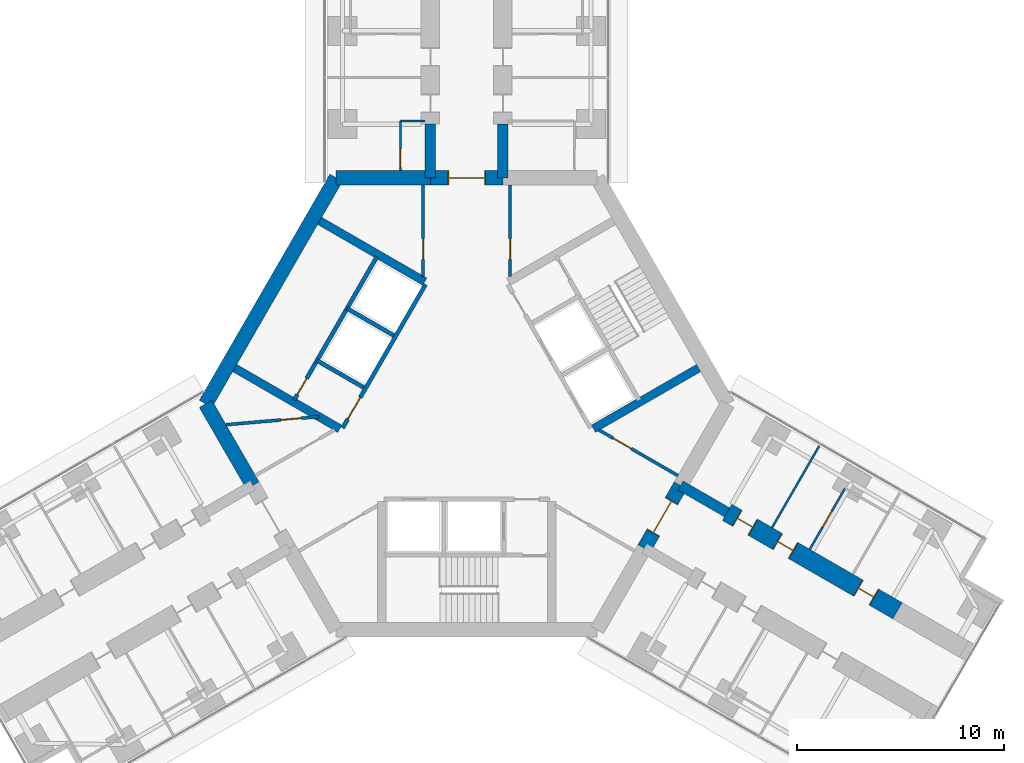
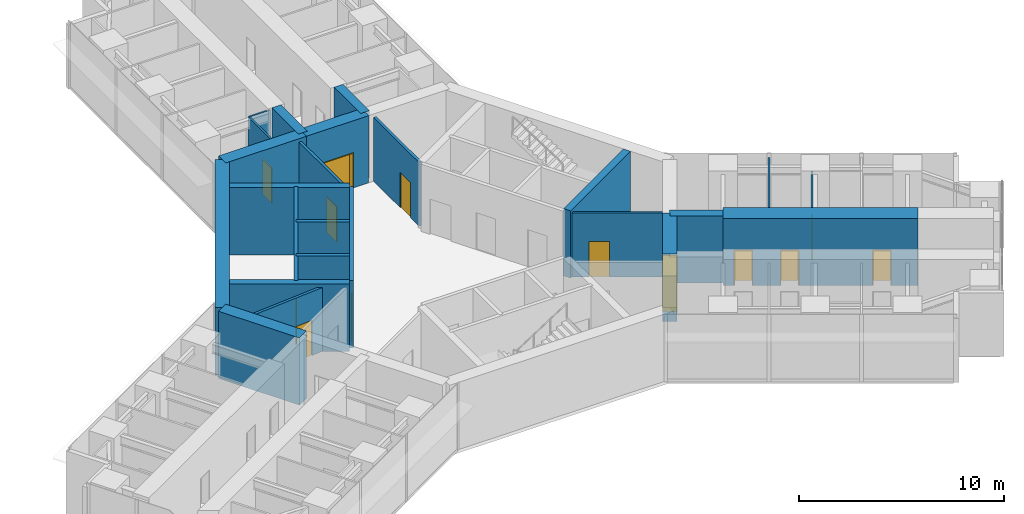
# One storey, part 21 of 25: 24 walls, 13 doors, 13 openings.
"""IFC4 building model written with IfcOpenShell, lengths in metres."""

from ifc_helpers import new_model, si_unit, direction, frame, frame_2d, origin, place, context, subcontext, project, spatial, rectangle, extrude, material, layer, layer_set, type_object, element, fill, save


model = new_model("IFC4")

# Units and contexts
model_context = context("Model", 3, precision=1e-05, world=origin(), true_north=direction((0.0, 1.0)))
body_context = subcontext(model_context, "Body", "Model", "MODEL_VIEW")
ifc_project = project(units=[si_unit("LENGTHUNIT", "METRE"), si_unit("AREAUNIT", "SQUARE_METRE"), si_unit("VOLUMEUNIT", "CUBIC_METRE"), si_unit("PLANEANGLEUNIT", "RADIAN"), si_unit("MASSUNIT", "GRAM", prefix="KILO")], contexts=[model_context])

# Site, building, storey
site_placement = place(None, origin())
site = spatial("IfcSite", under=ifc_project, at=site_placement, CompositionType="ELEMENT")
building_placement = place(site_placement, origin())
building = spatial("IfcBuilding", under=site, at=building_placement, Name="Upepo Twin Towers", CompositionType="ELEMENT")
storey_placement = place(building_placement, frame((0.0, 0.0, 84.5)))
storey = spatial("IfcBuildingStorey", under=building, at=storey_placement, Name="L20", CompositionType="ELEMENT", Elevation=84.5)

# Walls
ifc_material_1 = material(Name="Concrete C60/75", Category="concrete")
ifc_layer_1 = layer(ifc_material_1, 0.5)
ifc_layer_set_1 = layer_set([ifc_layer_1], Name="Concrete C60/75")
wall_type_1 = type_object("IfcWallType", Name="Buttress wall 500 RC", PredefinedType="SHEAR", material=ifc_layer_set_1)
for number, where, z_axis, x_axis, name in (
    (1, (56.75, -7.091552734375, 0.0), (0.0, 0.0, 1.0), (0.0, 1.0, 0.0), "T2 wing A buttress wall L"),
    (2, (60.25, -7.091552734375, 0.0), (0.0, 0.0, 1.0), (0.0, 1.0, 0.0), "T2 wing A buttress wall R"),
):
    element("IfcWall", number, at=place(storey_placement, frame(where, z_axis=z_axis, x_axis=x_axis)), inside=storey, type_object=wall_type_1, Name=name, PredefinedType="SHEAR", context=body_context, shape_type="SweptSolid", body=[
        extrude(rectangle(XDim=2.591552734375, YDim=0.5, at=frame_2d((1.2958984375, 0.0))), origin(), (0.0, 0.0, 1.0), 4.0),
    ])
wall_1_placement = place(storey_placement, frame((68.82177734375, -21.938720703125, 0.0), z_axis=(0.0, 0.0, 1.0), x_axis=(0.866072649678, -0.499918158782, 0.0)))
element("IfcWall", 3, at=wall_1_placement, inside=storey, type_object=wall_type_1, Name="T2 wing C buttress wall L", PredefinedType="SHEAR", context=body_context, shape_type="SweptSolid", body=[
    extrude(rectangle(XDim=2.591796875, YDim=0.5, at=frame_2d((1.2958984375, 0.0))), origin(), (0.0, 0.0, 1.0), 4.0),
])

# Wall, openings, doors
ifc_material_2 = material(Name="Concrete C60/75", Category="concrete")
ifc_layer_2 = layer(ifc_material_2, 0.89990234375)
ifc_layer_set_2 = layer_set([ifc_layer_2], Name="Concrete C60/75")
wall_type_2 = type_object("IfcWallType", Name="Buttress wall 900 RC", PredefinedType="SHEAR", material=ifc_layer_set_2)
wall_2_placement = place(storey_placement, frame((71.06640625, -23.234375, 0.0), z_axis=(0.0, 0.0, 1.0), x_axis=(0.86602681393, -0.499997557548, 0.0)))
wall_2 = element("IfcWall", 4, at=wall_2_placement, inside=storey, type_object=wall_type_2, Name="T2 wing C buttress wall L part 2", PredefinedType="SHEAR", context=body_context, shape_type="SweptSolid", body=[
    extrude(rectangle(XDim=9.5, YDim=0.89990234375, at=frame_2d((4.75, 0.0))), origin(), (0.0, 0.0, 1.0), 4.0),
])
opening_1_placement = place(wall_2_placement, frame((0.550048828125, 0.0, 0.0)))
opening_1 = element("IfcOpeningElement", 5, at=opening_1_placement, cuts=wall_2, Name="Opening D14", PredefinedType="OPENING", context=body_context, shape_type="SweptSolid", body=[
    extrude(rectangle(XDim=0.89990234375, YDim=2.10009765625, at=frame_2d((0.449951171875, 1.050048828125))), frame((0.0, 0.4599609375, 0.0), z_axis=(0.0, -1.0, 0.0), x_axis=(1.0, 0.0, 0.0)), (0.0, 0.0, 1.0), 0.919921875),
])
opening_2_placement = place(wall_2_placement, frame((2.800048828125, 0.0, 0.0)))
opening_2 = element("IfcOpeningElement", 6, at=opening_2_placement, cuts=wall_2, Name="Opening D14", PredefinedType="OPENING", context=body_context, shape_type="SweptSolid", body=[
    extrude(rectangle(XDim=0.89990234375, YDim=2.10009765625, at=frame_2d((0.449951171875, 1.050048828125))), frame((0.0, 0.4599609375, 0.0), z_axis=(0.0, -1.0, 0.0), x_axis=(1.0, 0.0, 0.0)), (0.0, 0.0, 1.0), 0.919921875),
])
opening_3_placement = place(wall_2_placement, frame((7.300048828125, 0.0, 0.0)))
opening_3 = element("IfcOpeningElement", 7, at=opening_3_placement, cuts=wall_2, Name="Opening D14", PredefinedType="OPENING", context=body_context, shape_type="SweptSolid", body=[
    extrude(rectangle(XDim=0.89990234375, YDim=2.10009765625, at=frame_2d((0.449951171875, 1.050048828125))), frame((0.0, 0.4599609375, 0.0), z_axis=(0.0, -1.0, 0.0), x_axis=(1.0, 0.0, 0.0)), (0.0, 0.0, 1.0), 0.919921875),
])
ifc_material_3 = material(Name="Timber doorset", Category="wood")
door_type_1 = type_object("IfcDoorType", Name="Office door 900 FD30", OperationType="SINGLE_SWING_LEFT", PredefinedType="DOOR", material=ifc_material_3)
door_1_placement = place(opening_1_placement, origin())
door_1 = element("IfcDoor", 8, at=door_1_placement, inside=storey, type_object=door_type_1, Name="T2 L20 staff office door", OperationType="SINGLE_SWING_LEFT", OverallHeight=2.10009765625, OverallWidth=0.89990234375, PredefinedType="DOOR", context=body_context, shape_type="SweptSolid", body=[
    extrude(rectangle(XDim=0.81990234375, YDim=2.06009765625, at=frame_2d((0.449951171875, 1.030029296875))), frame((0.0, 0.02490234375, 0.0), z_axis=(0.0, -1.0, 0.0), x_axis=(1.0, 0.0, 0.0)), (0.0, 0.0, 1.0), 0.050048828125),
    extrude(rectangle(XDim=0.04, YDim=2.10009765625, at=frame_2d((0.02001953125, 1.050048828125))), frame((0.0, 0.44970703125, 0.0), z_axis=(0.0, -1.0, 0.0), x_axis=(1.0, 0.0, 0.0)), (0.0, 0.0, 1.0), 0.8994140625),
    extrude(rectangle(XDim=0.04, YDim=2.10009765625, at=frame_2d((0.8798828125, 1.050048828125))), frame((0.0, 0.44970703125, 0.0), z_axis=(0.0, -1.0, 0.0), x_axis=(1.0, 0.0, 0.0)), (0.0, 0.0, 1.0), 0.8994140625),
    extrude(rectangle(XDim=0.81990234375, YDim=0.04, at=frame_2d((0.449951171875, 2.080078125))), frame((0.0, 0.44970703125, 0.0), z_axis=(0.0, -1.0, 0.0), x_axis=(1.0, 0.0, 0.0)), (0.0, 0.0, 1.0), 0.8994140625),
])
fill(opening_1, door_1)
door_2_placement = place(opening_2_placement, origin())
door_2 = element("IfcDoor", 9, at=door_2_placement, inside=storey, type_object=door_type_1, Name="T2 L20 postgraduate office door", OperationType="SINGLE_SWING_LEFT", OverallHeight=2.10009765625, OverallWidth=0.89990234375, PredefinedType="DOOR", context=body_context, shape_type="SweptSolid", body=[
    extrude(rectangle(XDim=0.81990234375, YDim=2.06009765625, at=frame_2d((0.449951171875, 1.030029296875))), frame((0.0, 0.02490234375, 0.0), z_axis=(0.0, -1.0, 0.0), x_axis=(1.0, 0.0, 0.0)), (0.0, 0.0, 1.0), 0.050048828125),
    extrude(rectangle(XDim=0.04, YDim=2.10009765625, at=frame_2d((0.02001953125, 1.050048828125))), frame((0.0, 0.44970703125, 0.0), z_axis=(0.0, -1.0, 0.0), x_axis=(1.0, 0.0, 0.0)), (0.0, 0.0, 1.0), 0.8994140625),
    extrude(rectangle(XDim=0.04, YDim=2.10009765625, at=frame_2d((0.8798828125, 1.050048828125))), frame((0.0, 0.44970703125, 0.0), z_axis=(0.0, -1.0, 0.0), x_axis=(1.0, 0.0, 0.0)), (0.0, 0.0, 1.0), 0.8994140625),
    extrude(rectangle(XDim=0.81990234375, YDim=0.04, at=frame_2d((0.449951171875, 2.080078125))), frame((0.0, 0.44970703125, 0.0), z_axis=(0.0, -1.0, 0.0), x_axis=(1.0, 0.0, 0.0)), (0.0, 0.0, 1.0), 0.8994140625),
])
fill(opening_2, door_2)
door_3_placement = place(opening_3_placement, origin())
door_3 = element("IfcDoor", 10, at=door_3_placement, inside=storey, type_object=door_type_1, Name="T2 L20 staff office door", OperationType="SINGLE_SWING_RIGHT", OverallHeight=2.10009765625, OverallWidth=0.89990234375, PredefinedType="DOOR", context=body_context, shape_type="SweptSolid", body=[
    extrude(rectangle(XDim=0.81990234375, YDim=2.06009765625, at=frame_2d((0.449951171875, 1.030029296875))), frame((0.0, 0.02490234375, 0.0), z_axis=(0.0, -1.0, 0.0), x_axis=(1.0, 0.0, 0.0)), (0.0, 0.0, 1.0), 0.050048828125),
    extrude(rectangle(XDim=0.04, YDim=2.10009765625, at=frame_2d((0.02001953125, 1.050048828125))), frame((0.0, 0.44970703125, 0.0), z_axis=(0.0, -1.0, 0.0), x_axis=(1.0, 0.0, 0.0)), (0.0, 0.0, 1.0), 0.8994140625),
    extrude(rectangle(XDim=0.04, YDim=2.10009765625, at=frame_2d((0.8798828125, 1.050048828125))), frame((0.0, 0.44970703125, 0.0), z_axis=(0.0, -1.0, 0.0), x_axis=(1.0, 0.0, 0.0)), (0.0, 0.0, 1.0), 0.8994140625),
    extrude(rectangle(XDim=0.81990234375, YDim=0.04, at=frame_2d((0.449951171875, 2.080078125))), frame((0.0, 0.44970703125, 0.0), z_axis=(0.0, -1.0, 0.0), x_axis=(1.0, 0.0, 0.0)), (0.0, 0.0, 1.0), 0.8994140625),
])
fill(opening_3, door_3)

# Wall, opening, door
ifc_material_4 = material(Name="Concrete C60/75", Category="concrete")
ifc_layer_3 = layer(ifc_material_4, 0.699951171875)
ifc_layer_set_3 = layer_set([ifc_layer_3], Name="Concrete C60/75")
wall_type_3 = type_object("IfcWallType", Name="Core wall 700 RC", PredefinedType="SHEAR", material=ifc_layer_set_3)
wall_3_placement = place(storey_placement, frame((60.25, -7.091552734375, 0.0), z_axis=(0.0, 0.0, 1.0), x_axis=(-1.0, 0.0, 0.0)))
wall_3 = element("IfcWall", 11, at=wall_3_placement, inside=storey, type_object=wall_type_3, Name="T2 core wall 000", PredefinedType="SHEAR", context=body_context, shape_type="SweptSolid", body=[
    extrude(rectangle(XDim=3.5, YDim=0.699951171875, at=frame_2d((1.75, 0.0))), origin(), (0.0, 0.0, 1.0), 4.0),
])
opening_4_placement = place(wall_3_placement, frame((0.85009765625, 0.0, 0.0)))
opening_4 = element("IfcOpeningElement", 12, at=opening_4_placement, cuts=wall_3, Name="Opening D2", PredefinedType="OPENING", context=body_context, shape_type="SweptSolid", body=[
    extrude(rectangle(XDim=1.800048828125, YDim=2.10009765625, at=frame_2d((0.89990234375, 1.050048828125))), frame((0.0, 0.35986328125, 0.0), z_axis=(0.0, -1.0, 0.0), x_axis=(1.0, 0.0, 0.0)), (0.0, 0.0, 1.0), 0.719970703125),
])
ifc_material_5 = material(Name="Timber doorset", Category="wood")
door_type_2 = type_object("IfcDoorType", Name="Corridor double door 1800 FD60", OperationType="DOUBLE_DOOR_DOUBLE_SWING", PredefinedType="DOOR", material=ifc_material_5)
door_4_placement = place(opening_4_placement, origin())
door_4 = element("IfcDoor", 13, at=door_4_placement, inside=storey, type_object=door_type_2, Name="T2 L20 wing A corridor door", OperationType="DOUBLE_DOOR_DOUBLE_SWING", OverallHeight=2.10009765625, OverallWidth=1.800048828125, PredefinedType="DOOR", context=body_context, shape_type="SweptSolid", body=[
    extrude(rectangle(XDim=1.720048828125, YDim=2.06009765625, at=frame_2d((0.89990234375, 1.030029296875))), frame((0.0, 0.02490234375, 0.0), z_axis=(0.0, -1.0, 0.0), x_axis=(1.0, 0.0, 0.0)), (0.0, 0.0, 1.0), 0.050048828125),
    extrude(rectangle(XDim=0.04, YDim=2.10009765625, at=frame_2d((0.02001953125, 1.050048828125))), frame((0.0, 0.349609375, 0.0), z_axis=(0.0, -1.0, 0.0), x_axis=(1.0, 0.0, 0.0)), (0.0, 0.0, 1.0), 0.699462890625),
    extrude(rectangle(XDim=0.04, YDim=2.10009765625, at=frame_2d((1.780029296875, 1.050048828125))), frame((0.0, 0.349609375, 0.0), z_axis=(0.0, -1.0, 0.0), x_axis=(1.0, 0.0, 0.0)), (0.0, 0.0, 1.0), 0.699462890625),
    extrude(rectangle(XDim=1.720048828125, YDim=0.04, at=frame_2d((0.89990234375, 2.080078125))), frame((0.0, 0.349609375, 0.0), z_axis=(0.0, -1.0, 0.0), x_axis=(1.0, 0.0, 0.0)), (0.0, 0.0, 1.0), 0.699462890625),
])
fill(opening_4, door_4)

# Walls
wall_4_placement = place(storey_placement, frame((56.75, -7.091552734375, 0.0), z_axis=(0.0, 0.0, 1.0), x_axis=(-1.0, 0.0, 0.0)))
element("IfcWall", 14, at=wall_4_placement, inside=storey, type_object=wall_type_3, Name="T2 core wall 000 L", PredefinedType="SHEAR", context=body_context, shape_type="SweptSolid", body=[
    extrude(rectangle(XDim=4.5478515625, YDim=0.699951171875, at=frame_2d((2.27392578125, 0.0))), origin(), (0.0, 0.0, 1.0), 4.0),
])
wall_5_placement = place(storey_placement, frame((52.2021484375, -7.091552734375, 0.0), z_axis=(0.0, 0.0, 1.0), x_axis=(-0.500005998175, -0.866021940709, 0.0)))
element("IfcWall", 15, at=wall_5_placement, inside=storey, type_object=wall_type_3, Name="T2 core wall 060", PredefinedType="SHEAR", context=body_context, shape_type="SweptSolid", body=[
    extrude(rectangle(XDim=12.595947265625, YDim=0.699951171875, at=frame_2d((6.2978515625, 0.0))), origin(), (0.0, 0.0, 1.0), 4.0),
])
wall_6_placement = place(storey_placement, frame((45.904052734375, -18.0, 0.0), z_axis=(0.0, 0.0, 1.0), x_axis=(0.500024481964, -0.866011268655, 0.0)))
element("IfcWall", 16, at=wall_6_placement, inside=storey, type_object=wall_type_3, Name="T2 core wall 120 R", PredefinedType="SHEAR", context=body_context, shape_type="SweptSolid", body=[
    extrude(rectangle(XDim=4.548095703125, YDim=0.699951171875, at=frame_2d((2.27392578125, 0.0))), origin(), (0.0, 0.0, 1.0), 4.0),
])

# Wall, opening, door
wall_7_placement = place(storey_placement, frame((67.07177734375, -24.9697265625, 0.0), z_axis=(0.0, 0.0, 1.0), x_axis=(0.500010275428, 0.866019471182, 0.0)))
wall_7 = element("IfcWall", 17, at=wall_7_placement, inside=storey, type_object=wall_type_3, Name="T2 core wall 240", PredefinedType="SHEAR", context=body_context, shape_type="SweptSolid", body=[
    extrude(rectangle(XDim=3.5, YDim=0.699951171875, at=frame_2d((1.75, 0.0))), origin(), (0.0, 0.0, 1.0), 4.0),
])
opening_5_placement = place(wall_7_placement, frame((0.85009765625, 0.0, 0.0)))
opening_5 = element("IfcOpeningElement", 18, at=opening_5_placement, cuts=wall_7, Name="Opening D2", PredefinedType="OPENING", context=body_context, shape_type="SweptSolid", body=[
    extrude(rectangle(XDim=1.800048828125, YDim=2.10009765625, at=frame_2d((0.89990234375, 1.050048828125))), frame((0.0, 0.35986328125, 0.0), z_axis=(0.0, -1.0, 0.0), x_axis=(1.0, 0.0, 0.0)), (0.0, 0.0, 1.0), 0.719970703125),
])
door_5_placement = place(opening_5_placement, origin())
door_5 = element("IfcDoor", 19, at=door_5_placement, inside=storey, type_object=door_type_2, Name="T2 L20 wing C corridor door", OperationType="DOUBLE_DOOR_DOUBLE_SWING", OverallHeight=2.10009765625, OverallWidth=1.800048828125, PredefinedType="DOOR", context=body_context, shape_type="SweptSolid", body=[
    extrude(rectangle(XDim=1.720048828125, YDim=2.06009765625, at=frame_2d((0.89990234375, 1.030029296875))), frame((0.0, 0.02490234375, 0.0), z_axis=(0.0, -1.0, 0.0), x_axis=(1.0, 0.0, 0.0)), (0.0, 0.0, 1.0), 0.050048828125),
    extrude(rectangle(XDim=0.04, YDim=2.10009765625, at=frame_2d((0.02001953125, 1.050048828125))), frame((0.0, 0.349609375, 0.0), z_axis=(0.0, -1.0, 0.0), x_axis=(1.0, 0.0, 0.0)), (0.0, 0.0, 1.0), 0.699462890625),
    extrude(rectangle(XDim=0.04, YDim=2.10009765625, at=frame_2d((1.780029296875, 1.050048828125))), frame((0.0, 0.349609375, 0.0), z_axis=(0.0, -1.0, 0.0), x_axis=(1.0, 0.0, 0.0)), (0.0, 0.0, 1.0), 0.699462890625),
    extrude(rectangle(XDim=1.720048828125, YDim=0.04, at=frame_2d((0.89990234375, 2.080078125))), frame((0.0, 0.349609375, 0.0), z_axis=(0.0, -1.0, 0.0), x_axis=(1.0, 0.0, 0.0)), (0.0, 0.0, 1.0), 0.699462890625),
])
fill(opening_5, door_5)

ifc_material_6 = material(Name="Gypsum board on steel studs", Category="steel")
ifc_layer_4 = layer(ifc_material_6, 0.10009765625)
ifc_layer_set_4 = layer_set([ifc_layer_4], Name="Office partition 100 stud")
wall_type_4 = type_object("IfcWallType", Name="Office partition 100 stud", PredefinedType="PARTITIONING", material=ifc_layer_set_4)
wall_8_placement = place(storey_placement, frame((55.300048828125, -6.741943359375, 0.0), z_axis=(0.0, 0.0, 1.0), x_axis=(0.0, 1.0, 0.0)))
wall_8 = element("IfcWall", 20, at=wall_8_placement, inside=storey, type_object=wall_type_4, Name="T2 WC bay partition AL at 11.26", PredefinedType="PARTITIONING", context=body_context, shape_type="SweptSolid", body=[
    extrude(rectangle(XDim=2.39990234375, YDim=0.10009765625, at=frame_2d((1.199951171875, 0.0))), origin(), (0.0, 0.0, 1.0), 3.800048828125),
])
opening_6_placement = place(wall_8_placement, frame((0.14990234375, 0.0, 0.0)))
opening_6 = element("IfcOpeningElement", 21, at=opening_6_placement, cuts=wall_8, Name="Opening D14", PredefinedType="OPENING", context=body_context, shape_type="SweptSolid", body=[
    extrude(rectangle(XDim=0.89990234375, YDim=2.10009765625, at=frame_2d((0.449951171875, 1.050048828125))), frame((0.0, 0.06005859375, 0.0), z_axis=(0.0, -1.0, 0.0), x_axis=(1.0, 0.0, 0.0)), (0.0, 0.0, 1.0), 0.1201171875),
])
door_6_placement = place(opening_6_placement, origin())
door_6 = element("IfcDoor", 22, at=door_6_placement, inside=storey, type_object=door_type_1, Name="T2 L20 WC bay inner room door", OperationType="SINGLE_SWING_LEFT", OverallHeight=2.10009765625, OverallWidth=0.89990234375, PredefinedType="DOOR", context=body_context, shape_type="SweptSolid", body=[
    extrude(rectangle(XDim=0.89990234375, YDim=2.10009765625, at=frame_2d((0.449951171875, 1.050048828125))), frame((0.0, 0.02490234375, 0.0), z_axis=(0.0, -1.0, 0.0), x_axis=(1.0, 0.0, 0.0)), (0.0, 0.0, 1.0), 0.050048828125),
])
fill(opening_6, door_6)

# Walls
wall_9_placement = place(storey_placement, frame((56.5, -4.342041015625, 0.0), z_axis=(0.0, 0.0, 1.0), x_axis=(-1.0, 0.0, 0.0)))
element("IfcWall", 23, at=wall_9_placement, inside=storey, type_object=wall_type_4, Name="T2 WC bay partition AL end at 13.66", PredefinedType="PARTITIONING", context=body_context, shape_type="SweptSolid", body=[
    extrude(rectangle(XDim=1.199951171875, YDim=0.10009765625, at=frame_2d((0.60009765625, 0.0))), origin(), (0.0, 0.0, 1.0), 3.800048828125),
])
wall_10_placement = place(storey_placement, frame((73.239990234375, -23.9697265625, 0.0), z_axis=(0.0, 0.0, 1.0), x_axis=(0.499982560684, 0.866035472144, 0.0)))
element("IfcWall", 24, at=wall_10_placement, inside=storey, type_object=wall_type_4, Name="T2 partition CL at 15.75", PredefinedType="PARTITIONING", context=body_context, shape_type="SweptSolid", body=[
    extrude(rectangle(XDim=4.550048828125, YDim=0.10009765625, at=frame_2d((2.27490234375, 0.0))), origin(), (0.0, 0.0, 1.0), 3.800048828125),
])

# Wall, opening, door
wall_11_placement = place(storey_placement, frame((75.05859375, -25.019775390625, 0.0), z_axis=(0.0, 0.0, 1.0), x_axis=(0.499977295307, 0.866038511948, 0.0)))
wall_11 = element("IfcWall", 25, at=wall_11_placement, inside=storey, type_object=wall_type_4, Name="T2 inner room partition CL end at 17.85", PredefinedType="PARTITIONING", context=body_context, shape_type="SweptSolid", body=[
    extrude(rectangle(XDim=3.400146484375, YDim=0.10009765625, at=frame_2d((1.7001953125, 0.0))), origin(), (0.0, 0.0, 1.0), 3.800048828125),
])
opening_7_placement = place(wall_11_placement, frame((1.25, 0.0, 0.0)))
opening_7 = element("IfcOpeningElement", 26, at=opening_7_placement, cuts=wall_11, Name="Opening D14", PredefinedType="OPENING", context=body_context, shape_type="SweptSolid", body=[
    extrude(rectangle(XDim=0.89990234375, YDim=2.10009765625, at=frame_2d((0.449951171875, 1.050048828125))), frame((0.0, 0.06005859375, 0.0), z_axis=(0.0, -1.0, 0.0), x_axis=(1.0, 0.0, 0.0)), (0.0, 0.0, 1.0), 0.1201171875),
])
door_7_placement = place(opening_7_placement, origin())
door_7 = element("IfcDoor", 27, at=door_7_placement, inside=storey, type_object=door_type_1, Name="T2 L20 inner room door", OperationType="SINGLE_SWING_LEFT", OverallHeight=2.10009765625, OverallWidth=0.89990234375, PredefinedType="DOOR", context=body_context, shape_type="SweptSolid", body=[
    extrude(rectangle(XDim=0.89990234375, YDim=2.10009765625, at=frame_2d((0.449951171875, 1.050048828125))), frame((0.0, 0.02490234375, 0.0), z_axis=(0.0, -1.0, 0.0), x_axis=(1.0, 0.0, 0.0)), (0.0, 0.0, 1.0), 0.050048828125),
])
fill(opening_7, door_7)

ifc_material_7 = material(Name="Concrete C40/50", Category="concrete")
ifc_layer_5 = layer(ifc_material_7, 0.199951171875)
ifc_layer_set_5 = layer_set([ifc_layer_5], Name="Concrete C40/50")
wall_type_5 = type_object("IfcWallType", Name="Shaft wall 200 RC", PredefinedType="SHEAR", material=ifc_layer_set_5)
wall_12_placement = place(storey_placement, frame((56.516357421875, -12.23583984375, 0.0), z_axis=(0.0, 0.0, 1.0), x_axis=(-0.49999894854, -0.866026010844, 0.0)))
wall_12 = element("IfcWall", 28, at=wall_12_placement, inside=storey, type_object=wall_type_5, Name="T2 core W60 front wall", PredefinedType="SHEAR", context=body_context, shape_type="SweptSolid", body=[
    extrude(rectangle(XDim=8.0, YDim=0.199951171875, at=frame_2d((4.0, 0.0))), origin(), (0.0, 0.0, 1.0), 4.0),
])
opening_8_placement = place(wall_12_placement, frame((6.300048828125, 0.0, 0.0)))
opening_8 = element("IfcOpeningElement", 29, at=opening_8_placement, cuts=wall_12, Name="Opening D4", PredefinedType="OPENING", context=body_context, shape_type="SweptSolid", body=[
    extrude(rectangle(XDim=1.199951171875, YDim=2.10009765625, at=frame_2d((0.60009765625, 1.050048828125))), frame((0.0, 0.10986328125, 0.0), z_axis=(0.0, -1.0, 0.0), x_axis=(1.0, 0.0, 0.0)), (0.0, 0.0, 1.0), 0.219970703125),
])
ifc_material_8 = material(Name="Timber doorset", Category="wood")
door_type_3 = type_object("IfcDoorType", Name="Lobby door 1200 FD60", OperationType="SINGLE_SWING_LEFT", PredefinedType="DOOR", material=ifc_material_8)
door_8_placement = place(opening_8_placement, origin())
door_8 = element("IfcDoor", 30, at=door_8_placement, inside=storey, type_object=door_type_3, Name="T2 L20 W60 lobby door", OperationType="SINGLE_SWING_RIGHT", OverallHeight=2.10009765625, OverallWidth=1.199951171875, PredefinedType="DOOR", context=body_context, shape_type="SweptSolid", body=[
    extrude(rectangle(XDim=1.199951171875, YDim=2.10009765625, at=frame_2d((0.60009765625, 1.050048828125))), frame((0.0, 0.02490234375, 0.0), z_axis=(0.0, -1.0, 0.0), x_axis=(1.0, 0.0, 0.0)), (0.0, 0.0, 1.0), 0.050048828125),
])
fill(opening_8, door_8)

# Walls
for number, where, z_axis, x_axis, name in (
    (31, (54.979736328125, -14.697265625, 0.0), (0.0, 0.0, 1.0), (-0.866062058628, 0.499936506574, 0.0), "T2 core W60 shaft divider"),
    (32, (53.52978515625, -17.208740234375, 0.0), (0.0, 0.0, 1.0), (-0.866062058628, 0.499936506574, 0.0), "T2 core W60 lobby wall"),
):
    element("IfcWall", number, at=place(storey_placement, frame(where, z_axis=z_axis, x_axis=x_axis)), inside=storey, type_object=wall_type_5, Name=name, PredefinedType="SHEAR", context=body_context, shape_type="SweptSolid", body=[
        extrude(rectangle(XDim=2.599853515625, YDim=0.199951171875, at=frame_2d((1.2998046875, 0.0))), origin(), (0.0, 0.0, 1.0), 4.0),
    ])

# Wall, opening, door
wall_13_placement = place(storey_placement, frame((54.177978515625, -10.885986328125, 0.0), z_axis=(0.0, 0.0, 1.0), x_axis=(-0.49999894854, -0.866026010844, 0.0)))
wall_13 = element("IfcWall", 33, at=wall_13_placement, inside=storey, type_object=wall_type_5, Name="T2 core W60 stair wall", PredefinedType="SHEAR", context=body_context, shape_type="SweptSolid", body=[
    extrude(rectangle(XDim=8.0, YDim=0.199951171875, at=frame_2d((4.0, 0.0))), origin(), (0.0, 0.0, 1.0), 4.0),
])
opening_9_placement = place(wall_13_placement, frame((6.800048828125, 0.0, 0.0)))
opening_9 = element("IfcOpeningElement", 34, at=opening_9_placement, cuts=wall_13, Name="Opening D9", PredefinedType="OPENING", context=body_context, shape_type="SweptSolid", body=[
    extrude(rectangle(XDim=0.89990234375, YDim=2.10009765625, at=frame_2d((0.449951171875, 1.050048828125))), frame((0.0, 0.10986328125, 0.0), z_axis=(0.0, -1.0, 0.0), x_axis=(1.0, 0.0, 0.0)), (0.0, 0.0, 1.0), 0.219970703125),
])
ifc_material_9 = material(Name="Timber doorset", Category="wood")
door_type_4 = type_object("IfcDoorType", Name="Riser door 900 FD60", OperationType="SINGLE_SWING_LEFT", PredefinedType="DOOR", material=ifc_material_9)
door_9_placement = place(opening_9_placement, origin())
door_9 = element("IfcDoor", 35, at=door_9_placement, inside=storey, type_object=door_type_4, Name="T2 L20 riser door", OperationType="SINGLE_SWING_RIGHT", OverallHeight=2.10009765625, OverallWidth=0.89990234375, PredefinedType="DOOR", context=body_context, shape_type="SweptSolid", body=[
    extrude(rectangle(XDim=0.89990234375, YDim=2.10009765625, at=frame_2d((0.449951171875, 1.050048828125))), frame((0.0, 0.02490234375, 0.0), z_axis=(0.0, -1.0, 0.0), x_axis=(1.0, 0.0, 0.0)), (0.0, 0.0, 1.0), 0.050048828125),
])
fill(opening_9, door_9)

# Walls
ifc_material_10 = material(Name="Concrete C40/50", Category="concrete")
ifc_layer_6 = layer(ifc_material_10, 0.39990234375)
ifc_layer_set_6 = layer_set([ifc_layer_6], Name="Concrete C40/50")
wall_type_6 = type_object("IfcWallType", Name="Shaft wall 400 RC", PredefinedType="SHEAR", material=ifc_layer_set_6)
for number, where, z_axis, x_axis, name in (
    (36, (52.379638671875, -19.20068359375, 0.0), (0.0, 0.0, 1.0), (-0.866023886965, 0.500002627198, 0.0), "T2 core W60 side wall N"),
    (37, (56.479736328125, -12.099365234375, 0.0), (0.0, 0.0, 1.0), (-0.866023886965, 0.500002627198, 0.0), "T2 core W60 side wall S"),
    (38, (64.620361328125, -19.20068359375, 0.0), (0.0, 0.0, 1.0), (0.866023886965, 0.500002627198, 0.0), "T2 core W300 side wall S"),
):
    element("IfcWall", number, at=place(storey_placement, frame(where, z_axis=z_axis, x_axis=x_axis)), inside=storey, type_object=wall_type_6, Name=name, PredefinedType="SHEAR", context=body_context, shape_type="SweptSolid", body=[
        extrude(rectangle(XDim=5.8583984375, YDim=0.39990234375, at=frame_2d((2.92919921875, 0.0))), origin(), (0.0, 0.0, 1.0), 4.0),
    ])

# Wall, opening, door
ifc_material_11 = material(Name="Gypsum board on steel studs", Category="steel")
ifc_layer_7 = layer(ifc_material_11, 0.14990234375)
ifc_layer_set_7 = layer_set([ifc_layer_7], Name="Teaching partition 150 acoustic")
wall_type_7 = type_object("IfcWallType", Name="Teaching partition 150 acoustic", PredefinedType="PARTITIONING", material=ifc_layer_set_7)
wall_14_placement = place(storey_placement, frame((56.39990234375, -11.857421875, 0.0), z_axis=(0.0, 0.0, 1.0), x_axis=(0.0, 1.0, 0.0)))
wall_14 = element("IfcWall", 39, at=wall_14_placement, inside=storey, type_object=wall_type_7, Name="T2 core room partition 2", PredefinedType="PARTITIONING", context=body_context, shape_type="SweptSolid", body=[
    extrude(rectangle(XDim=4.42578125, YDim=0.14990234375, at=frame_2d((2.212890625, 0.0))), origin(), (0.0, 0.0, 1.0), 3.800048828125),
])
opening_10_placement = place(wall_14_placement, frame((0.82763671875, 0.0, 0.0)))
opening_10 = element("IfcOpeningElement", 40, at=opening_10_placement, cuts=wall_14, Name="Opening D1", PredefinedType="OPENING", context=body_context, shape_type="SweptSolid", body=[
    extrude(rectangle(XDim=1.0, YDim=2.10009765625, at=frame_2d((0.5, 1.050048828125))), frame((0.0, 0.0849609375, 0.0), z_axis=(0.0, -1.0, 0.0), x_axis=(1.0, 0.0, 0.0)), (0.0, 0.0, 1.0), 0.169921875),
])
ifc_material_12 = material(Name="Timber doorset", Category="wood")
door_type_5 = type_object("IfcDoorType", Name="Room door 1000 FD30", OperationType="SINGLE_SWING_LEFT", PredefinedType="DOOR", material=ifc_material_12)
door_10_placement = place(opening_10_placement, origin())
door_10 = element("IfcDoor", 41, at=door_10_placement, inside=storey, type_object=door_type_5, Name="T2 L20 core room door K7", OperationType="SINGLE_SWING_LEFT", OverallHeight=2.10009765625, OverallWidth=1.0, PredefinedType="DOOR", context=body_context, shape_type="SweptSolid", body=[
    extrude(rectangle(XDim=1.0, YDim=2.10009765625, at=frame_2d((0.5, 1.050048828125))), frame((0.0, 0.02490234375, 0.0), z_axis=(0.0, -1.0, 0.0), x_axis=(1.0, 0.0, 0.0)), (0.0, 0.0, 1.0), 0.050048828125),
])
fill(opening_10, door_10)

wall_15_placement = place(storey_placement, frame((60.60009765625, -7.431640625, 0.0), z_axis=(0.0, 0.0, 1.0), x_axis=(0.0, -1.0, 0.0)))
wall_15 = element("IfcWall", 42, at=wall_15_placement, inside=storey, type_object=wall_type_7, Name="T2 core room partition 3", PredefinedType="PARTITIONING", context=body_context, shape_type="SweptSolid", body=[
    extrude(rectangle(XDim=4.42578125, YDim=0.14990234375, at=frame_2d((2.212890625, 0.0))), origin(), (0.0, 0.0, 1.0), 3.800048828125),
])
opening_11_placement = place(wall_15_placement, frame((2.597900390625, 0.0, 0.0)))
opening_11 = element("IfcOpeningElement", 43, at=opening_11_placement, cuts=wall_15, Name="Opening D1", PredefinedType="OPENING", context=body_context, shape_type="SweptSolid", body=[
    extrude(rectangle(XDim=1.0, YDim=2.10009765625, at=frame_2d((0.5, 1.050048828125))), frame((0.0, 0.0849609375, 0.0), z_axis=(0.0, -1.0, 0.0), x_axis=(1.0, 0.0, 0.0)), (0.0, 0.0, 1.0), 0.169921875),
])
door_11_placement = place(opening_11_placement, origin())
door_11 = element("IfcDoor", 44, at=door_11_placement, inside=storey, type_object=door_type_5, Name="T2 L20 core room door K6", OperationType="SINGLE_SWING_RIGHT", OverallHeight=2.10009765625, OverallWidth=1.0, PredefinedType="DOOR", context=body_context, shape_type="SweptSolid", body=[
    extrude(rectangle(XDim=1.0, YDim=2.10009765625, at=frame_2d((0.5, 1.050048828125))), frame((0.0, 0.02490234375, 0.0), z_axis=(0.0, -1.0, 0.0), x_axis=(1.0, 0.0, 0.0)), (0.0, 0.0, 1.0), 0.050048828125),
])
fill(opening_11, door_11)

wall_16_placement = place(storey_placement, frame((64.86962890625, -19.252685546875, 0.0), z_axis=(0.0, 0.0, 1.0), x_axis=(0.866021148949, -0.500007369519, 0.0)))
wall_16 = element("IfcWall", 45, at=wall_16_placement, inside=storey, type_object=wall_type_7, Name="T2 core room partition 4", PredefinedType="PARTITIONING", context=body_context, shape_type="SweptSolid", body=[
    extrude(rectangle(XDim=4.42578125, YDim=0.14990234375, at=frame_2d((2.212890625, 0.0))), origin(), (0.0, 0.0, 1.0), 3.800048828125),
])
opening_12_placement = place(wall_16_placement, frame((0.82763671875, 0.0, 0.0)))
opening_12 = element("IfcOpeningElement", 46, at=opening_12_placement, cuts=wall_16, Name="Opening D1", PredefinedType="OPENING", context=body_context, shape_type="SweptSolid", body=[
    extrude(rectangle(XDim=1.0, YDim=2.10009765625, at=frame_2d((0.5, 1.050048828125))), frame((0.0, 0.0849609375, 0.0), z_axis=(0.0, -1.0, 0.0), x_axis=(1.0, 0.0, 0.0)), (0.0, 0.0, 1.0), 0.169921875),
])
door_12_placement = place(opening_12_placement, origin())
door_12 = element("IfcDoor", 47, at=door_12_placement, inside=storey, type_object=door_type_5, Name="T2 L20 core room door K5", OperationType="SINGLE_SWING_LEFT", OverallHeight=2.10009765625, OverallWidth=1.0, PredefinedType="DOOR", context=body_context, shape_type="SweptSolid", body=[
    extrude(rectangle(XDim=1.0, YDim=2.10009765625, at=frame_2d((0.5, 1.050048828125))), frame((0.0, 0.02490234375, 0.0), z_axis=(0.0, -1.0, 0.0), x_axis=(1.0, 0.0, 0.0)), (0.0, 0.0, 1.0), 0.050048828125),
])
fill(opening_12, door_12)

wall_17_placement = place(storey_placement, frame((51.37060546875, -18.617919921875, 0.0), z_axis=(0.0, 0.0, 1.0), x_axis=(-0.996259708579, -0.086409450071, 0.0)))
wall_17 = element("IfcWall", 48, at=wall_17_placement, inside=storey, type_object=wall_type_7, Name="T2 core room partition 7", PredefinedType="PARTITIONING", context=body_context, shape_type="SweptSolid", body=[
    extrude(rectangle(XDim=4.498046875, YDim=0.14990234375, at=frame_2d((2.2490234375, 0.0))), origin(), (0.0, 0.0, 1.0), 3.800048828125),
])
opening_13_placement = place(wall_17_placement, frame((0.849365234375, 0.0, 0.0)))
opening_13 = element("IfcOpeningElement", 49, at=opening_13_placement, cuts=wall_17, Name="Opening D1", PredefinedType="OPENING", context=body_context, shape_type="SweptSolid", body=[
    extrude(rectangle(XDim=1.0, YDim=2.10009765625, at=frame_2d((0.5, 1.050048828125))), frame((0.0, 0.0849609375, 0.0), z_axis=(0.0, -1.0, 0.0), x_axis=(1.0, 0.0, 0.0)), (0.0, 0.0, 1.0), 0.169921875),
])
door_13_placement = place(opening_13_placement, origin())
door_13 = element("IfcDoor", 50, at=door_13_placement, inside=storey, type_object=door_type_5, Name="T2 L20 core room door K1", OperationType="SINGLE_SWING_LEFT", OverallHeight=2.10009765625, OverallWidth=1.0, PredefinedType="DOOR", context=body_context, shape_type="SweptSolid", body=[
    extrude(rectangle(XDim=1.0, YDim=2.10009765625, at=frame_2d((0.5, 1.050048828125))), frame((0.0, 0.02490234375, 0.0), z_axis=(0.0, -1.0, 0.0), x_axis=(1.0, 0.0, 0.0)), (0.0, 0.0, 1.0), 0.050048828125),
])
fill(opening_13, door_13)

save(model, "model.ifc")
